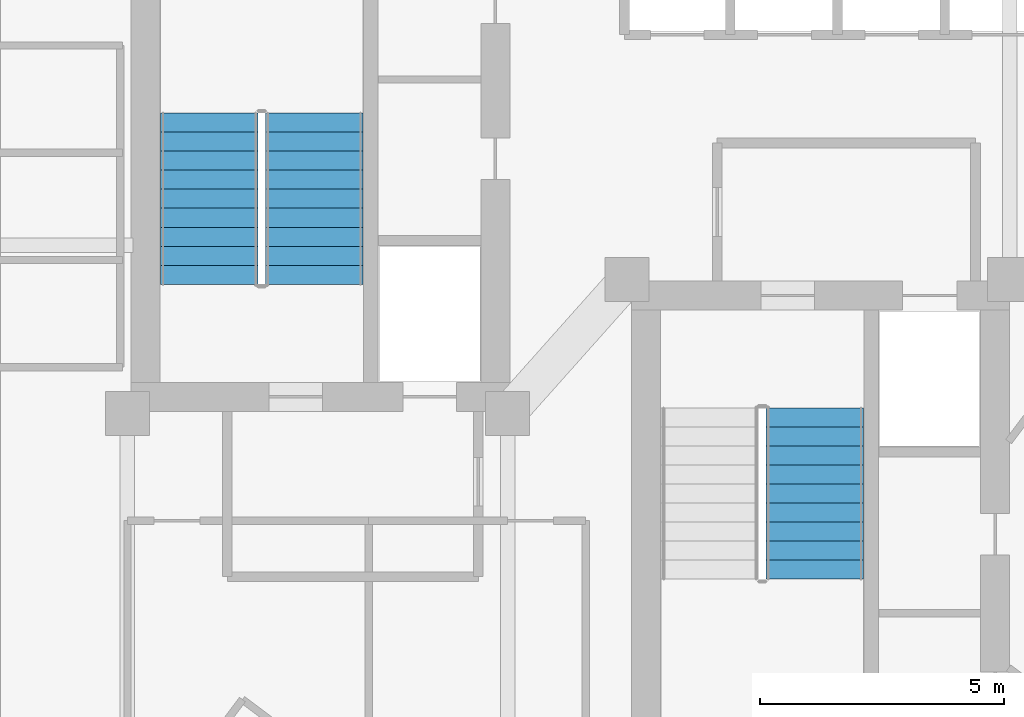
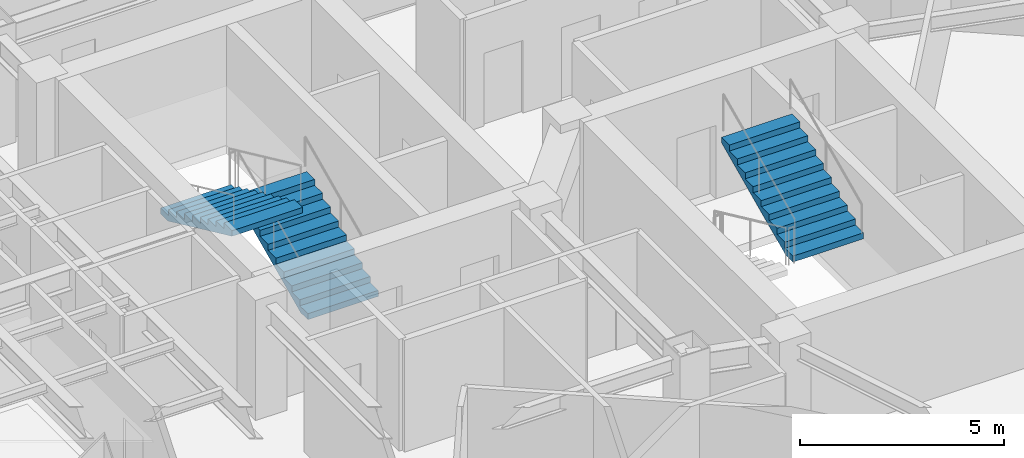
# One storey, part 24 of 27: 3 stair flights, 2 elements without a shape of their own.
"""IFC4 building model written with IfcOpenShell, lengths in metres."""

from ifc_helpers import new_model, si_unit, direction, frame, origin, place, context, subcontext, project, spatial, polyline, outline, extrude, material, type_object, element, aggregate, save


model = new_model("IFC4")

# Units and contexts
model_context = context("Model", 3, precision=1e-05, world=origin(), true_north=direction((0.0, 1.0)))
body_context = subcontext(model_context, "Body", "Model", "MODEL_VIEW")
ifc_project = project(units=[si_unit("LENGTHUNIT", "METRE"), si_unit("AREAUNIT", "SQUARE_METRE"), si_unit("VOLUMEUNIT", "CUBIC_METRE"), si_unit("PLANEANGLEUNIT", "RADIAN"), si_unit("MASSUNIT", "GRAM", prefix="KILO")], contexts=[model_context])

# Site, building, storey
site_placement = place(None, origin())
site = spatial("IfcSite", under=ifc_project, at=site_placement, CompositionType="ELEMENT")
building_placement = place(site_placement, origin())
building = spatial("IfcBuilding", under=site, at=building_placement, Name="Hatsunagi Terrace Concourse", CompositionType="ELEMENT")
storey_placement = place(building_placement, frame((0.0, 0.0, 156.449951171875)))
storey = spatial("IfcBuildingStorey", under=building, at=storey_placement, Name="L41", CompositionType="ELEMENT", Elevation=156.449951171875)

# Stair, stair flights
ifc_material_1 = material(Name="Concrete Fc42", Category="concrete")
stair_type = type_object("IfcStairType", Name="DoglegExitStair_Tower2000_20R_180", PredefinedType="HALF_TURN_STAIR", material=ifc_material_1)
stair_1_placement = place(storey_placement, origin())
stair_1 = element("IfcStair", 1, at=stair_1_placement, inside=storey, type_object=stair_type, Name="L41 Core A Protected Exit Stair ST-A", PredefinedType="HALF_TURN_STAIR")
ifc_material_2 = material(Name="Concrete Fc42", Category="concrete")
stair_flight_type = type_object("IfcStairFlightType", Name="DoglegStairFlight_Tower2000_20R_180", PredefinedType="STRAIGHT", material=ifc_material_2)
stair_flight_1_placement = place(storey_placement, frame((29.3798828125, 35.199951171875, 0.0), z_axis=(0.0, 0.0, 1.0), x_axis=(0.0, 1.0, 0.0)))
stair_flight_1 = element("IfcStairFlight", 2, at=stair_flight_1_placement, type_object=stair_flight_type, Name="ST-A flight 1", NumberOfRisers=10, NumberOfTreads=9, PredefinedType="STRAIGHT", RiserHeight=0.18, TreadLength=0.39, context=body_context, shape_type="SweptSolid", body=[
    extrude(outline(polyline([(0.0, 0.0), (0.0, 0.179931640625), (0.389892578125, 0.179931640625), (0.389892578125, 0.360107421875), (0.780029296875, 0.360107421875), (0.780029296875, 0.5400390625), (1.169921875, 0.5400390625), (1.169921875, 0.719970703125), (1.56005859375, 0.719970703125), (1.56005859375, 0.89990234375), (1.949951171875, 0.89990234375), (1.949951171875, 1.080078125), (2.340087890625, 1.080078125), (2.340087890625, 1.260009765625), (2.72998046875, 1.260009765625), (2.72998046875, 1.43994140625), (3.1201171875, 1.43994140625), (3.1201171875, 1.6201171875), (3.510009765625, 1.6201171875), (3.510009765625, 1.800048828125), (3.510009765625, 1.454833984375), (0.357666015625, 0.0), (0.0, 0.0)])), frame((0.0, 1.0, 0.0), z_axis=(0.0, -1.0, 0.0), x_axis=(1.0, 0.0, 0.0)), (0.0, 0.0, 1.0), 2.0),
])
stair_flight_2_placement = place(storey_placement, frame((27.22998046875, 38.7099609375, 1.800048828125), z_axis=(0.0, 0.0, 1.0), x_axis=(0.0, -1.0, 0.0)))
stair_flight_2 = element("IfcStairFlight", 3, at=stair_flight_2_placement, type_object=stair_flight_type, Name="ST-A flight 2", NumberOfRisers=10, NumberOfTreads=9, PredefinedType="STRAIGHT", RiserHeight=0.18, TreadLength=0.39, context=body_context, shape_type="SweptSolid", body=[
    extrude(outline(polyline([(0.0, 0.0), (0.0, 0.179931640625), (0.389892578125, 0.179931640625), (0.389892578125, 0.360107421875), (0.780029296875, 0.360107421875), (0.780029296875, 0.5400390625), (1.169921875, 0.5400390625), (1.169921875, 0.719970703125), (1.56005859375, 0.719970703125), (1.56005859375, 0.89990234375), (1.949951171875, 0.89990234375), (1.949951171875, 1.080078125), (2.340087890625, 1.080078125), (2.340087890625, 1.260009765625), (2.72998046875, 1.260009765625), (2.72998046875, 1.43994140625), (3.1201171875, 1.43994140625), (3.1201171875, 1.6201171875), (3.510009765625, 1.6201171875), (3.510009765625, 1.800048828125), (3.510009765625, 1.454833984375), (0.357666015625, 0.0), (0.0, 0.0)])), frame((0.0, 1.0, 0.0), z_axis=(0.0, -1.0, 0.0), x_axis=(1.0, 0.0, 0.0)), (0.0, 0.0, 1.0), 2.0),
])
aggregate(stair_1, [stair_flight_1, stair_flight_2])

# Stair, stair flight
stair_2_placement = place(storey_placement, origin())
stair_2 = element("IfcStair", 4, at=stair_2_placement, inside=storey, type_object=stair_type, Name="L41 Core B Protected Exit Stair ST-B", PredefinedType="HALF_TURN_STAIR")
stair_flight_3_placement = place(storey_placement, frame((39.64990234375, 29.14990234375, 1.800048828125), z_axis=(0.0, 0.0, 1.0), x_axis=(0.0, 1.0, 0.0)))
stair_flight_3 = element("IfcStairFlight", 5, at=stair_flight_3_placement, type_object=stair_flight_type, Name="ST-B flight 2", NumberOfRisers=10, NumberOfTreads=9, PredefinedType="STRAIGHT", RiserHeight=0.18, TreadLength=0.39, context=body_context, shape_type="SweptSolid", body=[
    extrude(outline(polyline([(0.0, 0.0), (0.0, 0.179931640625), (0.389892578125, 0.179931640625), (0.389892578125, 0.360107421875), (0.780029296875, 0.360107421875), (0.780029296875, 0.5400390625), (1.169921875, 0.5400390625), (1.169921875, 0.719970703125), (1.56005859375, 0.719970703125), (1.56005859375, 0.89990234375), (1.949951171875, 0.89990234375), (1.949951171875, 1.080078125), (2.340087890625, 1.080078125), (2.340087890625, 1.260009765625), (2.72998046875, 1.260009765625), (2.72998046875, 1.43994140625), (3.1201171875, 1.43994140625), (3.1201171875, 1.6201171875), (3.510009765625, 1.6201171875), (3.510009765625, 1.800048828125), (3.510009765625, 1.454833984375), (0.357666015625, 0.0), (0.0, 0.0)])), frame((0.0, 1.0, 0.0), z_axis=(0.0, -1.0, 0.0), x_axis=(1.0, 0.0, 0.0)), (0.0, 0.0, 1.0), 2.0),
])
aggregate(stair_2, [stair_flight_3])

save(model, "model.ifc")
